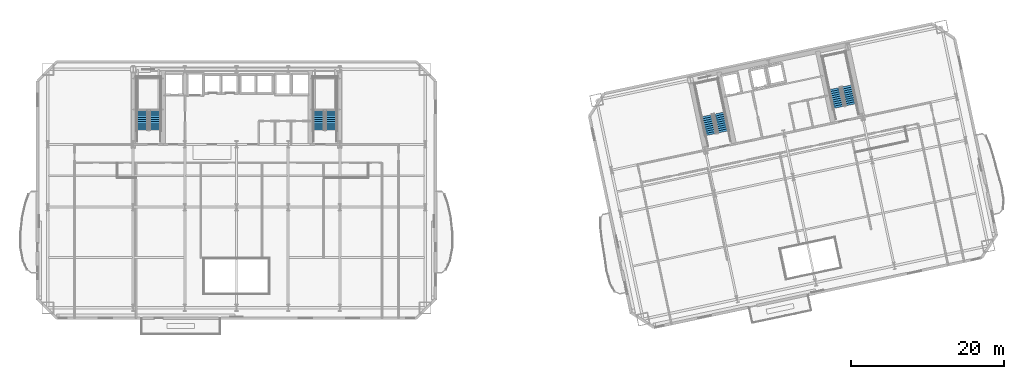
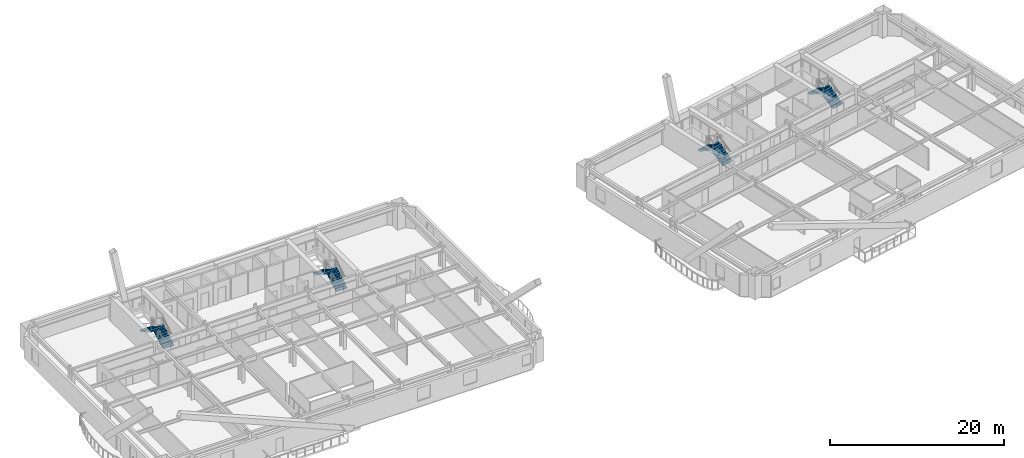
# One storey, part 10 of 18: 8 stair flights, 4 elements without a shape of their own.
"""IFC4 building model written with IfcOpenShell, lengths in metres."""

from ifc_helpers import new_model, si_unit, direction, frame, origin, place, context, subcontext, project, spatial, polyline, outline, extrude, material, type_object, element, aggregate, save


model = new_model("IFC4")

# Units and contexts
model_context = context("Model", 3, precision=1e-05, world=origin(), true_north=direction((0.0, 1.0)))
body_context = subcontext(model_context, "Body", "Model", "MODEL_VIEW")
ifc_project = project(units=[si_unit("LENGTHUNIT", "METRE"), si_unit("AREAUNIT", "SQUARE_METRE"), si_unit("VOLUMEUNIT", "CUBIC_METRE"), si_unit("PLANEANGLEUNIT", "RADIAN"), si_unit("MASSUNIT", "GRAM", prefix="KILO")], contexts=[model_context])

# Site, building, storey
site_placement = place(None, origin())
site = spatial("IfcSite", under=ifc_project, at=site_placement, CompositionType="ELEMENT")
building_placement = place(site_placement, origin())
building = spatial("IfcBuilding", under=site, at=building_placement, Name="Haevon Station Towers", CompositionType="ELEMENT")
storey_placement = place(building_placement, frame((0.0, 0.0, 60.300048828125)))
storey = spatial("IfcBuildingStorey", under=building, at=storey_placement, Name="L15", CompositionType="ELEMENT", Elevation=60.300048828125)

# Stair, stair flights
ifc_material = material(Name="Concrete C40/50", Category="concrete")
stair_type = type_object("IfcStairType", Name="STR-DL1450", PredefinedType="USERDEFINED", material=ifc_material)
stair_1_placement = place(storey_placement, origin())
stair_1 = element("IfcStair", 1, at=stair_1_placement, inside=storey, type_object=stair_type, Name="L15 Escape Stair ST1", ObjectType="TWO_RETURN_STAIR", PredefinedType="USERDEFINED")
stair_flight_type = type_object("IfcStairFlightType", Name="STF-ST1450", PredefinedType="STRAIGHT", material=ifc_material)
stair_flight_1_placement = place(storey_placement, frame((26.85498046875, 40.050048828125, 0.0), z_axis=(0.0, 0.0, 1.0), x_axis=(0.0, 1.0, 0.0)))
stair_flight_1 = element("IfcStairFlight", 2, at=stair_flight_1_placement, type_object=stair_flight_type, Name="L15 ST1 Flight 1", NumberOfRisers=10, NumberOfTreads=9, PredefinedType="STRAIGHT", RiserHeight=0.165, TreadLength=0.28, context=body_context, shape_type="SweptSolid", body=[
    extrude(outline(polyline([(0.0, 0.0), (0.0, 0.1650390625), (0.280029296875, 0.1650390625), (0.280029296875, 0.330078125), (0.56005859375, 0.330078125), (0.56005859375, 0.4951171875), (0.840087890625, 0.4951171875), (0.840087890625, 0.659912109375), (1.1201171875, 0.659912109375), (1.1201171875, 0.824951171875), (1.39990234375, 0.824951171875), (1.39990234375, 0.989990234375), (1.679931640625, 0.989990234375), (1.679931640625, 1.155029296875), (1.9599609375, 1.155029296875), (1.9599609375, 1.320068359375), (2.239990234375, 1.320068359375), (2.239990234375, 1.485107421875), (2.52001953125, 1.485107421875), (2.52001953125, 1.64990234375), (2.52001953125, 1.29931640625), (0.31494140625, 0.0), (0.0, 0.0)])), frame((0.0, 0.72509765625, 0.0), z_axis=(0.0, -1.0, 0.0), x_axis=(1.0, 0.0, 0.0)), (0.0, 0.0, 1.0), 1.449951171875),
])
stair_flight_2_placement = place(storey_placement, frame((25.205078125, 42.570068359375, 1.64990234375), z_axis=(0.0, 0.0, 1.0), x_axis=(0.0, -1.0, 0.0)))
stair_flight_2 = element("IfcStairFlight", 3, at=stair_flight_2_placement, type_object=stair_flight_type, Name="L15 ST1 Flight 2", NumberOfRisers=10, NumberOfTreads=9, PredefinedType="STRAIGHT", RiserHeight=0.165, TreadLength=0.28, context=body_context, shape_type="SweptSolid", body=[
    extrude(outline(polyline([(0.0, 0.0), (0.0, 0.1650390625), (0.280029296875, 0.1650390625), (0.280029296875, 0.330078125), (0.56005859375, 0.330078125), (0.56005859375, 0.4951171875), (0.840087890625, 0.4951171875), (0.840087890625, 0.659912109375), (1.1201171875, 0.659912109375), (1.1201171875, 0.824951171875), (1.39990234375, 0.824951171875), (1.39990234375, 0.989990234375), (1.679931640625, 0.989990234375), (1.679931640625, 1.155029296875), (1.9599609375, 1.155029296875), (1.9599609375, 1.320068359375), (2.239990234375, 1.320068359375), (2.239990234375, 1.485107421875), (2.52001953125, 1.485107421875), (2.52001953125, 1.64990234375), (2.52001953125, 1.29931640625), (0.31494140625, 0.0), (0.0, 0.0)])), frame((0.0, 0.72509765625, 0.0), z_axis=(0.0, -1.0, 0.0), x_axis=(1.0, 0.0, 0.0)), (0.0, 0.0, 1.0), 1.449951171875),
])
aggregate(stair_1, [stair_flight_1, stair_flight_2])

stair_2_placement = place(storey_placement, origin())
stair_2 = element("IfcStair", 4, at=stair_2_placement, inside=storey, type_object=stair_type, Name="L15 Escape Stair ST2", ObjectType="TWO_RETURN_STAIR", PredefinedType="USERDEFINED")
stair_flight_3_placement = place(storey_placement, frame((49.89501953125, 40.050048828125, 0.0), z_axis=(0.0, 0.0, 1.0), x_axis=(0.0, 1.0, 0.0)))
stair_flight_3 = element("IfcStairFlight", 5, at=stair_flight_3_placement, type_object=stair_flight_type, Name="L15 ST2 Flight 1", NumberOfRisers=10, NumberOfTreads=9, PredefinedType="STRAIGHT", RiserHeight=0.165, TreadLength=0.28, context=body_context, shape_type="SweptSolid", body=[
    extrude(outline(polyline([(0.0, 0.0), (0.0, 0.1650390625), (0.280029296875, 0.1650390625), (0.280029296875, 0.330078125), (0.56005859375, 0.330078125), (0.56005859375, 0.4951171875), (0.840087890625, 0.4951171875), (0.840087890625, 0.659912109375), (1.1201171875, 0.659912109375), (1.1201171875, 0.824951171875), (1.39990234375, 0.824951171875), (1.39990234375, 0.989990234375), (1.679931640625, 0.989990234375), (1.679931640625, 1.155029296875), (1.9599609375, 1.155029296875), (1.9599609375, 1.320068359375), (2.239990234375, 1.320068359375), (2.239990234375, 1.485107421875), (2.52001953125, 1.485107421875), (2.52001953125, 1.64990234375), (2.52001953125, 1.29931640625), (0.31494140625, 0.0), (0.0, 0.0)])), frame((0.0, 0.72509765625, 0.0), z_axis=(0.0, -1.0, 0.0), x_axis=(1.0, 0.0, 0.0)), (0.0, 0.0, 1.0), 1.449951171875),
])
stair_flight_4_placement = place(storey_placement, frame((48.2451171875, 42.570068359375, 1.64990234375), z_axis=(0.0, 0.0, 1.0), x_axis=(0.0, -1.0, 0.0)))
stair_flight_4 = element("IfcStairFlight", 6, at=stair_flight_4_placement, type_object=stair_flight_type, Name="L15 ST2 Flight 2", NumberOfRisers=10, NumberOfTreads=9, PredefinedType="STRAIGHT", RiserHeight=0.165, TreadLength=0.28, context=body_context, shape_type="SweptSolid", body=[
    extrude(outline(polyline([(0.0, 0.0), (0.0, 0.1650390625), (0.280029296875, 0.1650390625), (0.280029296875, 0.330078125), (0.56005859375, 0.330078125), (0.56005859375, 0.4951171875), (0.840087890625, 0.4951171875), (0.840087890625, 0.659912109375), (1.1201171875, 0.659912109375), (1.1201171875, 0.824951171875), (1.39990234375, 0.824951171875), (1.39990234375, 0.989990234375), (1.679931640625, 0.989990234375), (1.679931640625, 1.155029296875), (1.9599609375, 1.155029296875), (1.9599609375, 1.320068359375), (2.239990234375, 1.320068359375), (2.239990234375, 1.485107421875), (2.52001953125, 1.485107421875), (2.52001953125, 1.64990234375), (2.52001953125, 1.29931640625), (0.31494140625, 0.0), (0.0, 0.0)])), frame((0.0, 0.72509765625, 0.0), z_axis=(0.0, -1.0, 0.0), x_axis=(1.0, 0.0, 0.0)), (0.0, 0.0, 1.0), 1.449951171875),
])
aggregate(stair_2, [stair_flight_3, stair_flight_4])

stair_3_placement = place(storey_placement, origin())
stair_3 = element("IfcStair", 7, at=stair_3_placement, inside=storey, type_object=stair_type, Name="L15 Escape Stair ST3", ObjectType="TWO_RETURN_STAIR", PredefinedType="USERDEFINED")
stair_flight_5_placement = place(storey_placement, frame((101.1015625, 39.8330078125, 0.0), z_axis=(0.0, 0.0, 1.0), x_axis=(-0.207911690818, 0.978147600734, 0.0)))
stair_flight_5 = element("IfcStairFlight", 8, at=stair_flight_5_placement, type_object=stair_flight_type, Name="L15 ST3 Flight 1", NumberOfRisers=10, NumberOfTreads=9, PredefinedType="STRAIGHT", RiserHeight=0.165, TreadLength=0.28, context=body_context, shape_type="SweptSolid", body=[
    extrude(outline(polyline([(0.0, 0.0), (0.0, 0.1650390625), (0.280029296875, 0.1650390625), (0.280029296875, 0.330078125), (0.56005859375, 0.330078125), (0.56005859375, 0.4951171875), (0.840087890625, 0.4951171875), (0.840087890625, 0.659912109375), (1.1201171875, 0.659912109375), (1.1201171875, 0.824951171875), (1.39990234375, 0.824951171875), (1.39990234375, 0.989990234375), (1.679931640625, 0.989990234375), (1.679931640625, 1.155029296875), (1.9599609375, 1.155029296875), (1.9599609375, 1.320068359375), (2.239990234375, 1.320068359375), (2.239990234375, 1.485107421875), (2.52001953125, 1.485107421875), (2.52001953125, 1.64990234375), (2.52001953125, 1.29931640625), (0.31494140625, 0.0), (0.0, 0.0)])), frame((0.0, 0.72509765625, 0.0), z_axis=(0.0, -1.0, 0.0), x_axis=(1.0, 0.0, 0.0)), (0.0, 0.0, 1.0), 1.449951171875),
])
stair_flight_6_placement = place(storey_placement, frame((98.9638671875, 41.955078125, 1.64990234375), z_axis=(0.0, 0.0, 1.0), x_axis=(0.207911690818, -0.978147600734, 0.0)))
stair_flight_6 = element("IfcStairFlight", 9, at=stair_flight_6_placement, type_object=stair_flight_type, Name="L15 ST3 Flight 2", NumberOfRisers=10, NumberOfTreads=9, PredefinedType="STRAIGHT", RiserHeight=0.165, TreadLength=0.28, context=body_context, shape_type="SweptSolid", body=[
    extrude(outline(polyline([(0.0, 0.0), (0.0, 0.1650390625), (0.280029296875, 0.1650390625), (0.280029296875, 0.330078125), (0.56005859375, 0.330078125), (0.56005859375, 0.4951171875), (0.840087890625, 0.4951171875), (0.840087890625, 0.659912109375), (1.1201171875, 0.659912109375), (1.1201171875, 0.824951171875), (1.39990234375, 0.824951171875), (1.39990234375, 0.989990234375), (1.679931640625, 0.989990234375), (1.679931640625, 1.155029296875), (1.9599609375, 1.155029296875), (1.9599609375, 1.320068359375), (2.239990234375, 1.320068359375), (2.239990234375, 1.485107421875), (2.52001953125, 1.485107421875), (2.52001953125, 1.64990234375), (2.52001953125, 1.29931640625), (0.31494140625, 0.0), (0.0, 0.0)])), frame((0.0, 0.72509765625, 0.0), z_axis=(0.0, -1.0, 0.0), x_axis=(1.0, 0.0, 0.0)), (0.0, 0.0, 1.0), 1.449951171875),
])
aggregate(stair_3, [stair_flight_5, stair_flight_6])

stair_4_placement = place(storey_placement, origin())
stair_4 = element("IfcStair", 10, at=stair_4_placement, inside=storey, type_object=stair_type, Name="L15 Escape Stair ST4", ObjectType="TWO_RETURN_STAIR", PredefinedType="USERDEFINED")
stair_flight_7_placement = place(storey_placement, frame((117.788818359375, 43.380126953125, 0.0), z_axis=(0.0, 0.0, 1.0), x_axis=(-0.207911690818, 0.978147600734, 0.0)))
stair_flight_7 = element("IfcStairFlight", 11, at=stair_flight_7_placement, type_object=stair_flight_type, Name="L15 ST4 Flight 1", NumberOfRisers=10, NumberOfTreads=9, PredefinedType="STRAIGHT", RiserHeight=0.165, TreadLength=0.28, context=body_context, shape_type="SweptSolid", body=[
    extrude(outline(polyline([(0.0, 0.0), (0.0, 0.1650390625), (0.280029296875, 0.1650390625), (0.280029296875, 0.330078125), (0.56005859375, 0.330078125), (0.56005859375, 0.4951171875), (0.840087890625, 0.4951171875), (0.840087890625, 0.659912109375), (1.1201171875, 0.659912109375), (1.1201171875, 0.824951171875), (1.39990234375, 0.824951171875), (1.39990234375, 0.989990234375), (1.679931640625, 0.989990234375), (1.679931640625, 1.155029296875), (1.9599609375, 1.155029296875), (1.9599609375, 1.320068359375), (2.239990234375, 1.320068359375), (2.239990234375, 1.485107421875), (2.52001953125, 1.485107421875), (2.52001953125, 1.64990234375), (2.52001953125, 1.29931640625), (0.31494140625, 0.0), (0.0, 0.0)])), frame((0.0, 0.72509765625, 0.0), z_axis=(0.0, -1.0, 0.0), x_axis=(1.0, 0.0, 0.0)), (0.0, 0.0, 1.0), 1.449951171875),
])
stair_flight_8_placement = place(storey_placement, frame((115.65087890625, 45.501953125, 1.64990234375), z_axis=(0.0, 0.0, 1.0), x_axis=(0.207911690818, -0.978147600734, 0.0)))
stair_flight_8 = element("IfcStairFlight", 12, at=stair_flight_8_placement, type_object=stair_flight_type, Name="L15 ST4 Flight 2", NumberOfRisers=10, NumberOfTreads=9, PredefinedType="STRAIGHT", RiserHeight=0.165, TreadLength=0.28, context=body_context, shape_type="SweptSolid", body=[
    extrude(outline(polyline([(0.0, 0.0), (0.0, 0.1650390625), (0.280029296875, 0.1650390625), (0.280029296875, 0.330078125), (0.56005859375, 0.330078125), (0.56005859375, 0.4951171875), (0.840087890625, 0.4951171875), (0.840087890625, 0.659912109375), (1.1201171875, 0.659912109375), (1.1201171875, 0.824951171875), (1.39990234375, 0.824951171875), (1.39990234375, 0.989990234375), (1.679931640625, 0.989990234375), (1.679931640625, 1.155029296875), (1.9599609375, 1.155029296875), (1.9599609375, 1.320068359375), (2.239990234375, 1.320068359375), (2.239990234375, 1.485107421875), (2.52001953125, 1.485107421875), (2.52001953125, 1.64990234375), (2.52001953125, 1.29931640625), (0.31494140625, 0.0), (0.0, 0.0)])), frame((0.0, 0.72509765625, 0.0), z_axis=(0.0, -1.0, 0.0), x_axis=(1.0, 0.0, 0.0)), (0.0, 0.0, 1.0), 1.449951171875),
])
aggregate(stair_4, [stair_flight_7, stair_flight_8])

save(model, "model.ifc")
